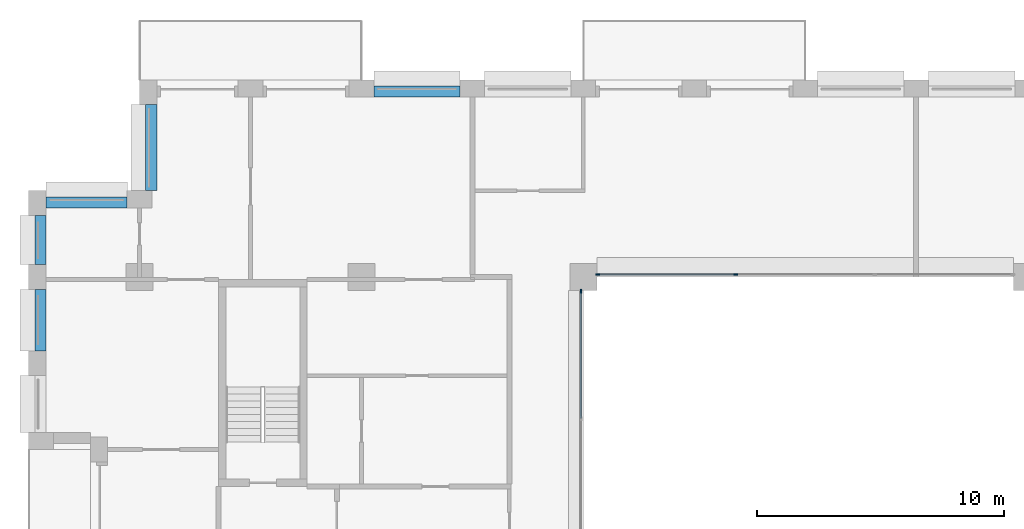
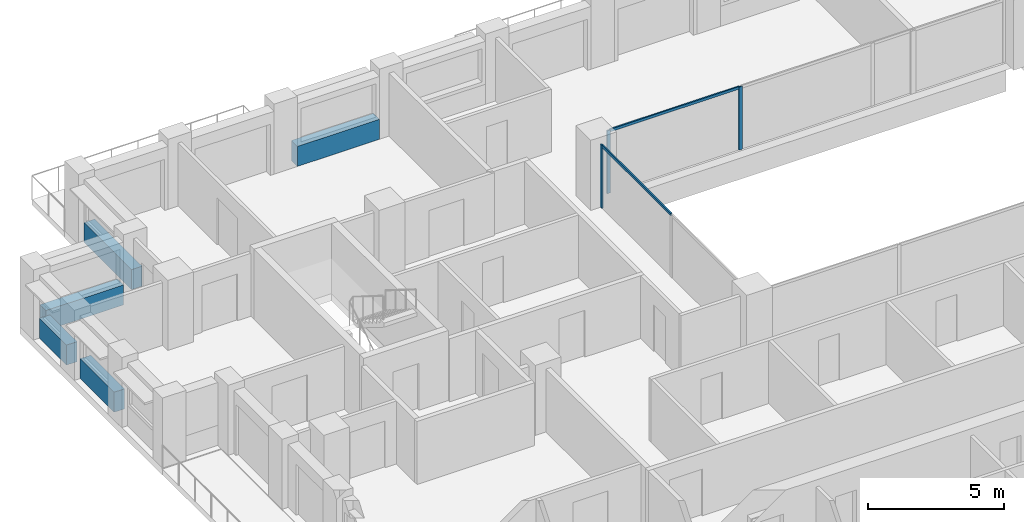
# One storey, part 5 of 16: 5 beams, 5 members, 2 elements without a shape of their own.
"""IFC4 building model written with IfcOpenShell, lengths in metres."""

from ifc_helpers import new_model, si_unit, direction, frame, origin, origin_2d, place, context, subcontext, project, spatial, rectangle, extrude, material, layer, layer_set, material_profile, profile_set, type_object, element, aggregate, save


model = new_model("IFC4")

# Units and contexts
model_context = context("Model", 3, precision=1e-05, world=origin(), true_north=direction((0.0, 1.0)))
body_context = subcontext(model_context, "Body", "Model", "MODEL_VIEW")
ifc_project = project(units=[si_unit("LENGTHUNIT", "METRE"), si_unit("AREAUNIT", "SQUARE_METRE"), si_unit("VOLUMEUNIT", "CUBIC_METRE"), si_unit("PLANEANGLEUNIT", "RADIAN"), si_unit("MASSUNIT", "GRAM", prefix="KILO")], contexts=[model_context])

# Site, building, storey
site_placement = place(None, origin())
site = spatial("IfcSite", under=ifc_project, at=site_placement, CompositionType="ELEMENT")
building_placement = place(site_placement, origin())
building = spatial("IfcBuilding", under=site, at=building_placement, Name="Brigalow Station Residences", CompositionType="ELEMENT")
storey_placement = place(building_placement, frame((0.0, 0.0, 179.10009765625)))
storey = spatial("IfcBuildingStorey", under=building, at=storey_placement, Name="L52", CompositionType="ELEMENT", Elevation=179.10009765625)

# Curtain wall, members
ifc_material_1 = material(Name="Aluminium", Category="aluminium")
ifc_layer = layer(ifc_material_1, 0.14990234375)
ifc_layer_set = layer_set([ifc_layer], Name="ATRIUM FIRE-RATED GLAZING CURTAIN WALL")
curtain_wall_type = type_object("IfcCurtainWallType", Name="ATRIUM FIRE-RATED GLAZING CURTAIN WALL", PredefinedType="NOTDEFINED", material=ifc_layer_set)
curtain_wall_1_placement = place(storey_placement, origin())
curtain_wall_1 = element("IfcCurtainWall", 1, at=curtain_wall_1_placement, inside=storey, type_object=curtain_wall_type, Name="L52/cw/atrium-N", PredefinedType="NOTDEFINED")
ifc_material_2 = material(Name="Aluminium", Category="aluminium")
ifc_material_profile_1 = material_profile(ifc_material_2, rectangle(XDim=0.06005859375, YDim=0.14990234375, at=origin_2d()), Name="ATRIUM FIRE-RATED GLAZING MULLION 60x150")
ifc_profile_set_1 = profile_set([ifc_material_profile_1], Name="Aluminium")
member_type_1 = type_object("IfcMemberType", Name="ATRIUM FIRE-RATED GLAZING MULLION 60x150", PredefinedType="MULLION", material=ifc_profile_set_1)
member_1_placement = place(storey_placement, frame((33.183349609375, 35.60009765625, 0.0), z_axis=(0.0, 0.0, 1.0), x_axis=(0.0, -1.0, 0.0)))
member_1 = element("IfcMember", 2, at=member_1_placement, type_object=member_type_1, Name="L52/cw/atrium-N/M02", PredefinedType="MULLION", context=body_context, shape_type="SweptSolid", body=[
    extrude(rectangle(XDim=0.06005859375, YDim=0.14990234375, at=origin_2d()), origin(), (0.0, 0.0, 1.0), 2.829833984375),
])
member_2_placement = place(storey_placement, frame((27.580078125, 35.60009765625, 0.0), z_axis=(0.0, 0.0, 1.0), x_axis=(0.0, -1.0, 0.0)))
member_2 = element("IfcMember", 3, at=member_2_placement, type_object=member_type_1, Name="L52/cw/atrium-N/M03", PredefinedType="MULLION", context=body_context, shape_type="SweptSolid", body=[
    extrude(rectangle(XDim=0.06005859375, YDim=0.14990234375, at=origin_2d()), origin(), (0.0, 0.0, 1.0), 2.829833984375),
])

# Curtain wall, member
curtain_wall_2_placement = place(storey_placement, origin())
curtain_wall_2 = element("IfcCurtainWall", 4, at=curtain_wall_2_placement, inside=storey, type_object=curtain_wall_type, Name="L52/cw/atrium-W", PredefinedType="NOTDEFINED")
member_3_placement = place(storey_placement, frame((26.89990234375, 34.919921875, 0.0), z_axis=(0.0, 0.0, 1.0), x_axis=(1.0, 0.0, 0.0)))
member_3 = element("IfcMember", 5, at=member_3_placement, type_object=member_type_1, Name="L52/cw/atrium-W/M00", PredefinedType="MULLION", context=body_context, shape_type="SweptSolid", body=[
    extrude(rectangle(XDim=0.06005859375, YDim=0.14990234375, at=origin_2d()), origin(), (0.0, 0.0, 1.0), 2.829833984375),
])

# Member
ifc_material_3 = material(Name="Aluminium", Category="aluminium")
ifc_material_profile_2 = material_profile(ifc_material_3, rectangle(XDim=0.06005859375, YDim=0.1201171875, at=origin_2d()), Name="ATRIUM FIRE-RATED GLAZING TRANSOM 60x120")
ifc_profile_set_2 = profile_set([ifc_material_profile_2], Name="Aluminium")
member_type_2 = type_object("IfcMemberType", Name="ATRIUM FIRE-RATED GLAZING TRANSOM 60x120", PredefinedType="USERDEFINED", material=ifc_profile_set_2)
member_4_placement = place(storey_placement, frame((33.1533203125, 35.60009765625, 2.7998046875), z_axis=(-1.0, 0.0, 0.0), x_axis=(0.0, -1.0, 0.0)))
member_4 = element("IfcMember", 6, at=member_4_placement, type_object=member_type_2, Name="L52/cw/atrium-N/T02-00", ObjectType="TRANSOM", PredefinedType="USERDEFINED", context=body_context, shape_type="SweptSolid", body=[
    extrude(rectangle(XDim=0.06005859375, YDim=0.1201171875, at=origin_2d()), origin(), (0.0, 0.0, 1.0), 5.543212890625),
])

aggregate(curtain_wall_1, [member_1, member_2, member_4])

member_5_placement = place(storey_placement, frame((26.89990234375, 34.889892578125, 2.7998046875), z_axis=(0.0, -1.0, 0.0), x_axis=(1.0, 0.0, 0.0)))
member_5 = element("IfcMember", 7, at=member_5_placement, type_object=member_type_2, Name="L52/cw/atrium-W/T00-00", ObjectType="TRANSOM", PredefinedType="USERDEFINED", context=body_context, shape_type="SweptSolid", body=[
    extrude(rectangle(XDim=0.06005859375, YDim=0.1201171875, at=origin_2d()), origin(), (0.0, 0.0, 1.0), 5.10986328125),
])

aggregate(curtain_wall_2, [member_3, member_5])

# Beams
ifc_material_4 = material(Name="Concrete C50", Category="concrete")
ifc_material_profile_3 = material_profile(ifc_material_4, rectangle(XDim=0.449951171875, YDim=0.89990234375, at=origin_2d()), Name="RC450x900")
ifc_profile_set_3 = profile_set([ifc_material_profile_3], Name="Concrete C50")
beam_type = type_object("IfcBeamType", Name="SPANDREL BEAM 450x900 C50", PredefinedType="SPANDREL", material=ifc_profile_set_3)
for number, where, z_axis, x_axis, name in (
    (8, (22.0, 43.02490234375, 0.449951171875), (-1.0, 0.0, 0.0), (0.0, -1.0, 0.0), "L52/spandrel/W-L52-32"),
    (9, (9.47509765625, 42.5, 0.449951171875), (0.0, -1.0, 0.0), (1.0, 0.0, 0.0), "L52/spandrel/W-L52-35"),
):
    element("IfcBeam", number, at=place(storey_placement, frame(where, z_axis=z_axis, x_axis=x_axis)), inside=storey, type_object=beam_type, Name=name, PredefinedType="SPANDREL", context=body_context, shape_type="SweptSolid", body=[
        extrude(rectangle(XDim=0.449951171875, YDim=0.89990234375, at=origin_2d()), origin(), (0.0, 0.0, 1.0), 3.5),
    ])
beam_1_placement = place(storey_placement, frame((8.5, 38.52490234375, 0.449951171875), z_axis=(-1.0, 0.0, 0.0), x_axis=(0.0, -1.0, 0.0)))
element("IfcBeam", 10, at=beam_1_placement, inside=storey, type_object=beam_type, Name="L52/spandrel/W-L52-36", PredefinedType="SPANDREL", context=body_context, shape_type="SweptSolid", body=[
    extrude(rectangle(XDim=0.449951171875, YDim=0.89990234375, at=origin_2d()), origin(), (0.0, 0.0, 1.0), 3.300048828125),
])
beam_2_placement = place(storey_placement, frame((4.97509765625, 38.0, 0.449951171875), z_axis=(0.0, -1.0, 0.0), x_axis=(1.0, 0.0, 0.0)))
element("IfcBeam", 11, at=beam_2_placement, inside=storey, type_object=beam_type, Name="L52/spandrel/W-L52-37", PredefinedType="SPANDREL", context=body_context, shape_type="SweptSolid", body=[
    extrude(rectangle(XDim=0.449951171875, YDim=0.89990234375, at=origin_2d()), origin(), (0.0, 0.0, 1.0), 2.0),
])
beam_3_placement = place(storey_placement, frame((4.97509765625, 35.0, 0.449951171875), z_axis=(0.0, -1.0, 0.0), x_axis=(1.0, 0.0, 0.0)))
element("IfcBeam", 12, at=beam_3_placement, inside=storey, type_object=beam_type, Name="L52/spandrel/W-L52-38", PredefinedType="SPANDREL", context=body_context, shape_type="SweptSolid", body=[
    extrude(rectangle(XDim=0.449951171875, YDim=0.89990234375, at=origin_2d()), origin(), (0.0, 0.0, 1.0), 2.5),
])

save(model, "model.ifc")
